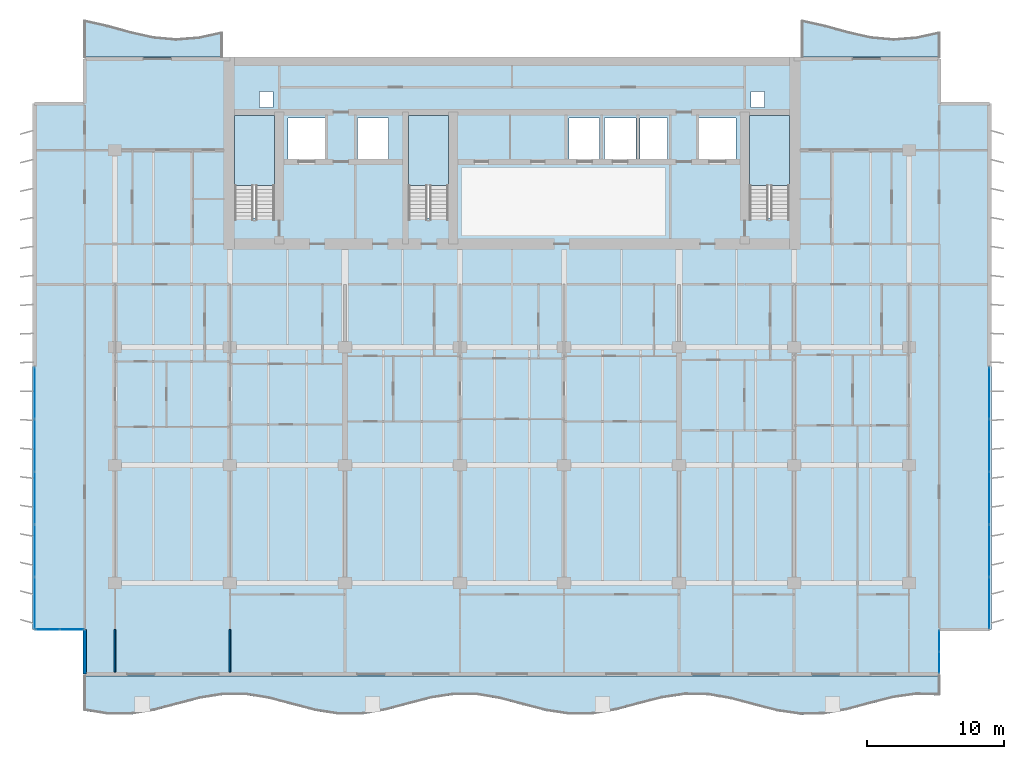
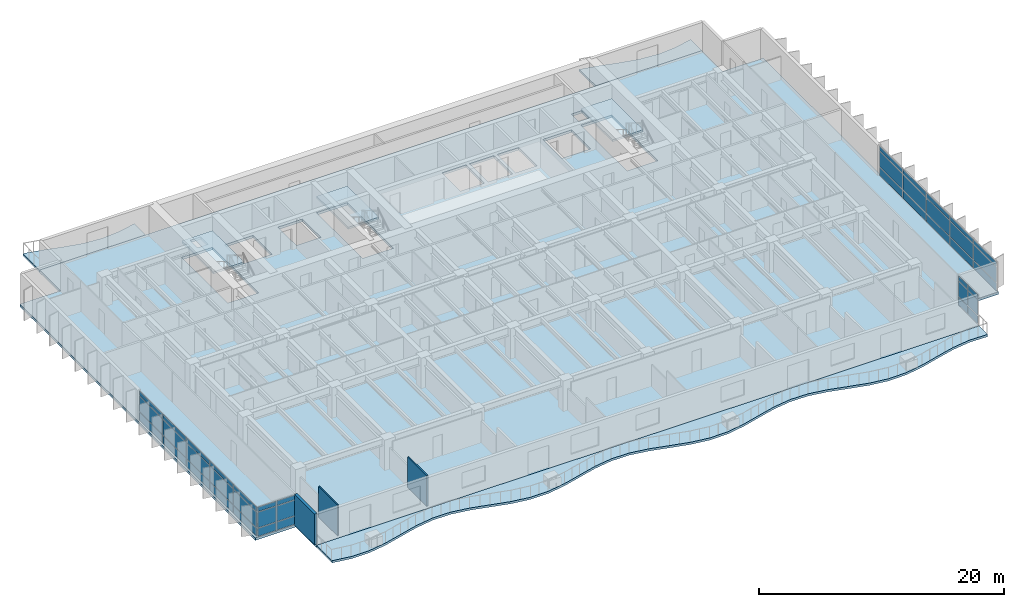
# One storey, part 5 of 15: 42 plates, 7 slabs, 3 walls, 7 elements without a shape of their own.
"""IFC4 building model written with IfcOpenShell, lengths in metres."""

from ifc_helpers import new_model, si_unit, direction, frame, frame_2d, origin, origin_2d, place, context, subcontext, project, spatial, polyline, rectangle, outline, extrude, material, layer, layer_set, type_object, element, aggregate, save


model = new_model("IFC4")

# Units and contexts
model_context = context("Model", 3, precision=1e-05, world=origin(), true_north=direction((0.0, 1.0)))
body_context = subcontext(model_context, "Body", "Model", "MODEL_VIEW")
ifc_project = project(units=[si_unit("LENGTHUNIT", "METRE"), si_unit("AREAUNIT", "SQUARE_METRE"), si_unit("VOLUMEUNIT", "CUBIC_METRE"), si_unit("PLANEANGLEUNIT", "RADIAN"), si_unit("MASSUNIT", "GRAM", prefix="KILO")], contexts=[model_context])

# Site, building, storey
site_placement = place(None, origin())
site = spatial("IfcSite", under=ifc_project, at=site_placement, CompositionType="ELEMENT")
building_placement = place(site_placement, origin())
building = spatial("IfcBuilding", under=site, at=building_placement, Name="Caelmar Bay Residences", CompositionType="ELEMENT")
storey_placement = place(building_placement, frame((0.0, 0.0, 132.300048828125)))
storey = spatial("IfcBuildingStorey", under=building, at=storey_placement, Name="L36", CompositionType="ELEMENT", Elevation=132.300048828125)

# Curtain wall, plates
ifc_material_1 = material(Name="Anodised bronze aluminium 6063-T6 and laminated glass", Category="aluminium")
ifc_layer_1 = layer(ifc_material_1, 0.179931640625)
ifc_layer_set_1 = layer_set([ifc_layer_1], Name="Anodised bronze aluminium 6063-T6 and laminated glass")
curtain_wall_type_1 = type_object("IfcCurtainWallType", Name="CW6-NTC", PredefinedType="NOTDEFINED", material=ifc_layer_set_1)
curtain_wall_1_placement = place(storey_placement, origin())
curtain_wall_1 = element("IfcCurtainWall", 1, at=curtain_wall_1_placement, inside=storey, type_object=curtain_wall_type_1, Name="CW6 curtain wall L36", PredefinedType="NOTDEFINED")
ifc_material_2 = material(Name="Bronze-tinted laminated low-E hurricane glass 28 mm", Category="glass")
ifc_layer_2 = layer(ifc_material_2, 0.028076171875)
ifc_layer_set_2 = layer_set([ifc_layer_2], Name="Bronze-tinted laminated low-E hurricane glass 28 mm")
plate_type = type_object("IfcPlateType", Name="CWP-GLZ28", PredefinedType="CURTAIN_PANEL", material=ifc_layer_set_2)
plate_1_placement = place(storey_placement, frame((4.982421875, 8.800048828125, 0.080078125), z_axis=(0.0, 0.0, 1.0), x_axis=(1.0, 0.0, 0.0)))
plate_1 = element("IfcPlate", 2, at=plate_1_placement, type_object=plate_type, Name="CW6 panel 1.1", PredefinedType="CURTAIN_PANEL", context=body_context, shape_type="SweptSolid", body=[
    extrude(rectangle(XDim=1.705078125, YDim=0.028076171875, at=origin_2d()), origin(), (0.0, 0.0, 1.0), 0.780029296875),
])
plate_2_placement = place(storey_placement, frame((4.982421875, 8.800048828125, 0.93994140625), z_axis=(0.0, 0.0, 1.0), x_axis=(1.0, 0.0, 0.0)))
plate_2 = element("IfcPlate", 3, at=plate_2_placement, type_object=plate_type, Name="CW6 panel 1.2", PredefinedType="CURTAIN_PANEL", context=body_context, shape_type="SweptSolid", body=[
    extrude(rectangle(XDim=1.705078125, YDim=0.028076171875, at=origin_2d()), origin(), (0.0, 0.0, 1.0), 1.52001953125),
])
plate_3_placement = place(storey_placement, frame((4.982421875, 8.800048828125, 2.5400390625), z_axis=(0.0, 0.0, 1.0), x_axis=(1.0, 0.0, 0.0)))
plate_3 = element("IfcPlate", 4, at=plate_3_placement, type_object=plate_type, Name="CW6 panel 1.3", PredefinedType="CURTAIN_PANEL", context=body_context, shape_type="SweptSolid", body=[
    extrude(rectangle(XDim=1.705078125, YDim=0.028076171875, at=origin_2d()), origin(), (0.0, 0.0, 1.0), 0.429931640625),
])
plate_4_placement = place(storey_placement, frame((6.767578125, 8.800048828125, 0.080078125), z_axis=(0.0, 0.0, 1.0), x_axis=(1.0, 0.0, 0.0)))
plate_4 = element("IfcPlate", 5, at=plate_4_placement, type_object=plate_type, Name="CW6 panel 2.1", PredefinedType="CURTAIN_PANEL", context=body_context, shape_type="SweptSolid", body=[
    extrude(rectangle(XDim=1.705078125, YDim=0.028076171875, at=origin_2d()), origin(), (0.0, 0.0, 1.0), 0.780029296875),
])
plate_5_placement = place(storey_placement, frame((6.767578125, 8.800048828125, 0.93994140625), z_axis=(0.0, 0.0, 1.0), x_axis=(1.0, 0.0, 0.0)))
plate_5 = element("IfcPlate", 6, at=plate_5_placement, type_object=plate_type, Name="CW6 panel 2.2", PredefinedType="CURTAIN_PANEL", context=body_context, shape_type="SweptSolid", body=[
    extrude(rectangle(XDim=1.705078125, YDim=0.028076171875, at=origin_2d()), origin(), (0.0, 0.0, 1.0), 1.52001953125),
])
plate_6_placement = place(storey_placement, frame((6.767578125, 8.800048828125, 2.5400390625), z_axis=(0.0, 0.0, 1.0), x_axis=(1.0, 0.0, 0.0)))
plate_6 = element("IfcPlate", 7, at=plate_6_placement, type_object=plate_type, Name="CW6 panel 2.3", PredefinedType="CURTAIN_PANEL", context=body_context, shape_type="SweptSolid", body=[
    extrude(rectangle(XDim=1.705078125, YDim=0.028076171875, at=origin_2d()), origin(), (0.0, 0.0, 1.0), 0.429931640625),
])
aggregate(curtain_wall_1, [plate_1, plate_2, plate_3, plate_4, plate_5, plate_6])

curtain_wall_2_placement = place(storey_placement, origin())
curtain_wall_2 = element("IfcCurtainWall", 8, at=curtain_wall_2_placement, inside=storey, type_object=curtain_wall_type_1, Name="CW6 curtain wall L36", PredefinedType="NOTDEFINED")
plate_7_placement = place(storey_placement, frame((70.10009765625, 6.382568359375, 0.080078125), z_axis=(0.0, 0.0, 1.0), x_axis=(0.0, 1.0, 0.0)))
plate_7 = element("IfcPlate", 9, at=plate_7_placement, type_object=plate_type, Name="CW6 panel 1.1", PredefinedType="CURTAIN_PANEL", context=body_context, shape_type="SweptSolid", body=[
    extrude(rectangle(XDim=1.5048828125, YDim=0.028076171875, at=origin_2d()), origin(), (0.0, 0.0, 1.0), 0.780029296875),
])
plate_8_placement = place(storey_placement, frame((70.10009765625, 6.382568359375, 0.93994140625), z_axis=(0.0, 0.0, 1.0), x_axis=(0.0, 1.0, 0.0)))
plate_8 = element("IfcPlate", 10, at=plate_8_placement, type_object=plate_type, Name="CW6 panel 1.2", PredefinedType="CURTAIN_PANEL", context=body_context, shape_type="SweptSolid", body=[
    extrude(rectangle(XDim=1.5048828125, YDim=0.028076171875, at=origin_2d()), origin(), (0.0, 0.0, 1.0), 1.52001953125),
])
plate_9_placement = place(storey_placement, frame((70.10009765625, 6.382568359375, 2.5400390625), z_axis=(0.0, 0.0, 1.0), x_axis=(0.0, 1.0, 0.0)))
plate_9 = element("IfcPlate", 11, at=plate_9_placement, type_object=plate_type, Name="CW6 panel 1.3", PredefinedType="CURTAIN_PANEL", context=body_context, shape_type="SweptSolid", body=[
    extrude(rectangle(XDim=1.5048828125, YDim=0.028076171875, at=origin_2d()), origin(), (0.0, 0.0, 1.0), 0.429931640625),
])
plate_10_placement = place(storey_placement, frame((70.10009765625, 7.967529296875, 0.080078125), z_axis=(0.0, 0.0, 1.0), x_axis=(0.0, 1.0, 0.0)))
plate_10 = element("IfcPlate", 12, at=plate_10_placement, type_object=plate_type, Name="CW6 panel 2.1", PredefinedType="CURTAIN_PANEL", context=body_context, shape_type="SweptSolid", body=[
    extrude(rectangle(XDim=1.5048828125, YDim=0.028076171875, at=origin_2d()), origin(), (0.0, 0.0, 1.0), 0.780029296875),
])
plate_11_placement = place(storey_placement, frame((70.10009765625, 7.967529296875, 0.93994140625), z_axis=(0.0, 0.0, 1.0), x_axis=(0.0, 1.0, 0.0)))
plate_11 = element("IfcPlate", 13, at=plate_11_placement, type_object=plate_type, Name="CW6 panel 2.2", PredefinedType="CURTAIN_PANEL", context=body_context, shape_type="SweptSolid", body=[
    extrude(rectangle(XDim=1.5048828125, YDim=0.028076171875, at=origin_2d()), origin(), (0.0, 0.0, 1.0), 1.52001953125),
])
plate_12_placement = place(storey_placement, frame((70.10009765625, 7.967529296875, 2.5400390625), z_axis=(0.0, 0.0, 1.0), x_axis=(0.0, 1.0, 0.0)))
plate_12 = element("IfcPlate", 14, at=plate_12_placement, type_object=plate_type, Name="CW6 panel 2.3", PredefinedType="CURTAIN_PANEL", context=body_context, shape_type="SweptSolid", body=[
    extrude(rectangle(XDim=1.5048828125, YDim=0.028076171875, at=origin_2d()), origin(), (0.0, 0.0, 1.0), 0.429931640625),
])
aggregate(curtain_wall_2, [plate_7, plate_8, plate_9, plate_10, plate_11, plate_12])

ifc_layer_3 = layer(ifc_material_1, 0.179931640625)
ifc_layer_set_3 = layer_set([ifc_layer_3], Name="Anodised bronze aluminium 6063-T6 and laminated glass")
curtain_wall_type_2 = type_object("IfcCurtainWallType", Name="CW3-Z2", PredefinedType="NOTDEFINED", material=ifc_layer_set_3)
curtain_wall_3_placement = place(storey_placement, origin())
curtain_wall_3 = element("IfcCurtainWall", 15, at=curtain_wall_3_placement, inside=storey, type_object=curtain_wall_type_2, Name="CW3 curtain wall L36", PredefinedType="NOTDEFINED")
plate_13_placement = place(storey_placement, frame((4.050048828125, 10.739990234375, 0.080078125), z_axis=(0.0, 0.0, 1.0), x_axis=(0.0, 1.0, 0.0)))
plate_13 = element("IfcPlate", 16, at=plate_13_placement, type_object=plate_type, Name="CW3 panel 1.1", PredefinedType="CURTAIN_PANEL", context=body_context, shape_type="SweptSolid", body=[
    extrude(rectangle(XDim=3.719970703125, YDim=0.028076171875, at=origin_2d()), origin(), (0.0, 0.0, 1.0), 0.780029296875),
])
plate_14_placement = place(storey_placement, frame((4.050048828125, 10.739990234375, 0.93994140625), z_axis=(0.0, 0.0, 1.0), x_axis=(0.0, 1.0, 0.0)))
plate_14 = element("IfcPlate", 17, at=plate_14_placement, type_object=plate_type, Name="CW3 panel 1.2", PredefinedType="CURTAIN_PANEL", context=body_context, shape_type="SweptSolid", body=[
    extrude(rectangle(XDim=3.719970703125, YDim=0.028076171875, at=origin_2d()), origin(), (0.0, 0.0, 1.0), 1.52001953125),
])
plate_15_placement = place(storey_placement, frame((4.050048828125, 10.739990234375, 2.5400390625), z_axis=(0.0, 0.0, 1.0), x_axis=(0.0, 1.0, 0.0)))
plate_15 = element("IfcPlate", 18, at=plate_15_placement, type_object=plate_type, Name="CW3 panel 1.3", PredefinedType="CURTAIN_PANEL", context=body_context, shape_type="SweptSolid", body=[
    extrude(rectangle(XDim=3.719970703125, YDim=0.028076171875, at=origin_2d()), origin(), (0.0, 0.0, 1.0), 0.429931640625),
])
plate_16_placement = place(storey_placement, frame((4.050048828125, 14.56005859375, 0.080078125), z_axis=(0.0, 0.0, 1.0), x_axis=(0.0, 1.0, 0.0)))
plate_16 = element("IfcPlate", 19, at=plate_16_placement, type_object=plate_type, Name="CW3 panel 2.1", PredefinedType="CURTAIN_PANEL", context=body_context, shape_type="SweptSolid", body=[
    extrude(rectangle(XDim=3.760009765625, YDim=0.028076171875, at=origin_2d()), origin(), (0.0, 0.0, 1.0), 0.780029296875),
])
plate_17_placement = place(storey_placement, frame((4.050048828125, 14.56005859375, 0.93994140625), z_axis=(0.0, 0.0, 1.0), x_axis=(0.0, 1.0, 0.0)))
plate_17 = element("IfcPlate", 20, at=plate_17_placement, type_object=plate_type, Name="CW3 panel 2.2", PredefinedType="CURTAIN_PANEL", context=body_context, shape_type="SweptSolid", body=[
    extrude(rectangle(XDim=3.760009765625, YDim=0.028076171875, at=origin_2d()), origin(), (0.0, 0.0, 1.0), 1.52001953125),
])
plate_18_placement = place(storey_placement, frame((4.050048828125, 14.56005859375, 2.5400390625), z_axis=(0.0, 0.0, 1.0), x_axis=(0.0, 1.0, 0.0)))
plate_18 = element("IfcPlate", 21, at=plate_18_placement, type_object=plate_type, Name="CW3 panel 2.3", PredefinedType="CURTAIN_PANEL", context=body_context, shape_type="SweptSolid", body=[
    extrude(rectangle(XDim=3.760009765625, YDim=0.028076171875, at=origin_2d()), origin(), (0.0, 0.0, 1.0), 0.429931640625),
])
plate_19_placement = place(storey_placement, frame((4.050048828125, 18.39990234375, 0.080078125), z_axis=(0.0, 0.0, 1.0), x_axis=(0.0, 1.0, 0.0)))
plate_19 = element("IfcPlate", 22, at=plate_19_placement, type_object=plate_type, Name="CW3 panel 3.1", PredefinedType="CURTAIN_PANEL", context=body_context, shape_type="SweptSolid", body=[
    extrude(rectangle(XDim=3.760009765625, YDim=0.028076171875, at=origin_2d()), origin(), (0.0, 0.0, 1.0), 0.780029296875),
])
plate_20_placement = place(storey_placement, frame((4.050048828125, 18.39990234375, 0.93994140625), z_axis=(0.0, 0.0, 1.0), x_axis=(0.0, 1.0, 0.0)))
plate_20 = element("IfcPlate", 23, at=plate_20_placement, type_object=plate_type, Name="CW3 panel 3.2", PredefinedType="CURTAIN_PANEL", context=body_context, shape_type="SweptSolid", body=[
    extrude(rectangle(XDim=3.760009765625, YDim=0.028076171875, at=origin_2d()), origin(), (0.0, 0.0, 1.0), 1.52001953125),
])
plate_21_placement = place(storey_placement, frame((4.050048828125, 18.39990234375, 2.5400390625), z_axis=(0.0, 0.0, 1.0), x_axis=(0.0, 1.0, 0.0)))
plate_21 = element("IfcPlate", 24, at=plate_21_placement, type_object=plate_type, Name="CW3 panel 3.3", PredefinedType="CURTAIN_PANEL", context=body_context, shape_type="SweptSolid", body=[
    extrude(rectangle(XDim=3.760009765625, YDim=0.028076171875, at=origin_2d()), origin(), (0.0, 0.0, 1.0), 0.429931640625),
])
plate_22_placement = place(storey_placement, frame((4.050048828125, 22.239990234375, 0.080078125), z_axis=(0.0, 0.0, 1.0), x_axis=(0.0, 1.0, 0.0)))
plate_22 = element("IfcPlate", 25, at=plate_22_placement, type_object=plate_type, Name="CW3 panel 4.1", PredefinedType="CURTAIN_PANEL", context=body_context, shape_type="SweptSolid", body=[
    extrude(rectangle(XDim=3.760009765625, YDim=0.028076171875, at=origin_2d()), origin(), (0.0, 0.0, 1.0), 0.780029296875),
])
plate_23_placement = place(storey_placement, frame((4.050048828125, 22.239990234375, 0.93994140625), z_axis=(0.0, 0.0, 1.0), x_axis=(0.0, 1.0, 0.0)))
plate_23 = element("IfcPlate", 26, at=plate_23_placement, type_object=plate_type, Name="CW3 panel 4.2", PredefinedType="CURTAIN_PANEL", context=body_context, shape_type="SweptSolid", body=[
    extrude(rectangle(XDim=3.760009765625, YDim=0.028076171875, at=origin_2d()), origin(), (0.0, 0.0, 1.0), 1.52001953125),
])
plate_24_placement = place(storey_placement, frame((4.050048828125, 22.239990234375, 2.5400390625), z_axis=(0.0, 0.0, 1.0), x_axis=(0.0, 1.0, 0.0)))
plate_24 = element("IfcPlate", 27, at=plate_24_placement, type_object=plate_type, Name="CW3 panel 4.3", PredefinedType="CURTAIN_PANEL", context=body_context, shape_type="SweptSolid", body=[
    extrude(rectangle(XDim=3.760009765625, YDim=0.028076171875, at=origin_2d()), origin(), (0.0, 0.0, 1.0), 0.429931640625),
])
plate_25_placement = place(storey_placement, frame((4.050048828125, 26.06005859375, 0.080078125), z_axis=(0.0, 0.0, 1.0), x_axis=(0.0, 1.0, 0.0)))
plate_25 = element("IfcPlate", 28, at=plate_25_placement, type_object=plate_type, Name="CW3 panel 5.1", PredefinedType="CURTAIN_PANEL", context=body_context, shape_type="SweptSolid", body=[
    extrude(rectangle(XDim=3.719970703125, YDim=0.028076171875, at=origin_2d()), origin(), (0.0, 0.0, 1.0), 0.780029296875),
])
plate_26_placement = place(storey_placement, frame((4.050048828125, 26.06005859375, 0.93994140625), z_axis=(0.0, 0.0, 1.0), x_axis=(0.0, 1.0, 0.0)))
plate_26 = element("IfcPlate", 29, at=plate_26_placement, type_object=plate_type, Name="CW3 panel 5.2", PredefinedType="CURTAIN_PANEL", context=body_context, shape_type="SweptSolid", body=[
    extrude(rectangle(XDim=3.719970703125, YDim=0.028076171875, at=origin_2d()), origin(), (0.0, 0.0, 1.0), 1.52001953125),
])
plate_27_placement = place(storey_placement, frame((4.050048828125, 26.06005859375, 2.5400390625), z_axis=(0.0, 0.0, 1.0), x_axis=(0.0, 1.0, 0.0)))
plate_27 = element("IfcPlate", 30, at=plate_27_placement, type_object=plate_type, Name="CW3 panel 5.3", PredefinedType="CURTAIN_PANEL", context=body_context, shape_type="SweptSolid", body=[
    extrude(rectangle(XDim=3.719970703125, YDim=0.028076171875, at=origin_2d()), origin(), (0.0, 0.0, 1.0), 0.429931640625),
])
aggregate(curtain_wall_3, [plate_13, plate_14, plate_15, plate_16, plate_17, plate_18, plate_19, plate_20, plate_21, plate_22, plate_23, plate_24, plate_25, plate_26, plate_27])

curtain_wall_4_placement = place(storey_placement, origin())
curtain_wall_4 = element("IfcCurtainWall", 31, at=curtain_wall_4_placement, inside=storey, type_object=curtain_wall_type_2, Name="CW3 curtain wall L36", PredefinedType="NOTDEFINED")
plate_28_placement = place(storey_placement, frame((73.75, 26.06005859375, 0.080078125), z_axis=(0.0, 0.0, 1.0), x_axis=(0.0, -1.0, 0.0)))
plate_28 = element("IfcPlate", 32, at=plate_28_placement, type_object=plate_type, Name="CW3 panel 1.1", PredefinedType="CURTAIN_PANEL", context=body_context, shape_type="SweptSolid", body=[
    extrude(rectangle(XDim=3.719970703125, YDim=0.028076171875, at=origin_2d()), origin(), (0.0, 0.0, 1.0), 0.780029296875),
])
plate_29_placement = place(storey_placement, frame((73.75, 26.06005859375, 0.93994140625), z_axis=(0.0, 0.0, 1.0), x_axis=(0.0, -1.0, 0.0)))
plate_29 = element("IfcPlate", 33, at=plate_29_placement, type_object=plate_type, Name="CW3 panel 1.2", PredefinedType="CURTAIN_PANEL", context=body_context, shape_type="SweptSolid", body=[
    extrude(rectangle(XDim=3.719970703125, YDim=0.028076171875, at=origin_2d()), origin(), (0.0, 0.0, 1.0), 1.52001953125),
])
plate_30_placement = place(storey_placement, frame((73.75, 26.06005859375, 2.5400390625), z_axis=(0.0, 0.0, 1.0), x_axis=(0.0, -1.0, 0.0)))
plate_30 = element("IfcPlate", 34, at=plate_30_placement, type_object=plate_type, Name="CW3 panel 1.3", PredefinedType="CURTAIN_PANEL", context=body_context, shape_type="SweptSolid", body=[
    extrude(rectangle(XDim=3.719970703125, YDim=0.028076171875, at=origin_2d()), origin(), (0.0, 0.0, 1.0), 0.429931640625),
])
plate_31_placement = place(storey_placement, frame((73.75, 22.239990234375, 0.080078125), z_axis=(0.0, 0.0, 1.0), x_axis=(0.0, -1.0, 0.0)))
plate_31 = element("IfcPlate", 35, at=plate_31_placement, type_object=plate_type, Name="CW3 panel 2.1", PredefinedType="CURTAIN_PANEL", context=body_context, shape_type="SweptSolid", body=[
    extrude(rectangle(XDim=3.760009765625, YDim=0.028076171875, at=origin_2d()), origin(), (0.0, 0.0, 1.0), 0.780029296875),
])
plate_32_placement = place(storey_placement, frame((73.75, 22.239990234375, 0.93994140625), z_axis=(0.0, 0.0, 1.0), x_axis=(0.0, -1.0, 0.0)))
plate_32 = element("IfcPlate", 36, at=plate_32_placement, type_object=plate_type, Name="CW3 panel 2.2", PredefinedType="CURTAIN_PANEL", context=body_context, shape_type="SweptSolid", body=[
    extrude(rectangle(XDim=3.760009765625, YDim=0.028076171875, at=origin_2d()), origin(), (0.0, 0.0, 1.0), 1.52001953125),
])
plate_33_placement = place(storey_placement, frame((73.75, 22.239990234375, 2.5400390625), z_axis=(0.0, 0.0, 1.0), x_axis=(0.0, -1.0, 0.0)))
plate_33 = element("IfcPlate", 37, at=plate_33_placement, type_object=plate_type, Name="CW3 panel 2.3", PredefinedType="CURTAIN_PANEL", context=body_context, shape_type="SweptSolid", body=[
    extrude(rectangle(XDim=3.760009765625, YDim=0.028076171875, at=origin_2d()), origin(), (0.0, 0.0, 1.0), 0.429931640625),
])
plate_34_placement = place(storey_placement, frame((73.75, 18.39990234375, 0.080078125), z_axis=(0.0, 0.0, 1.0), x_axis=(0.0, -1.0, 0.0)))
plate_34 = element("IfcPlate", 38, at=plate_34_placement, type_object=plate_type, Name="CW3 panel 3.1", PredefinedType="CURTAIN_PANEL", context=body_context, shape_type="SweptSolid", body=[
    extrude(rectangle(XDim=3.760009765625, YDim=0.028076171875, at=origin_2d()), origin(), (0.0, 0.0, 1.0), 0.780029296875),
])
plate_35_placement = place(storey_placement, frame((73.75, 18.39990234375, 0.93994140625), z_axis=(0.0, 0.0, 1.0), x_axis=(0.0, -1.0, 0.0)))
plate_35 = element("IfcPlate", 39, at=plate_35_placement, type_object=plate_type, Name="CW3 panel 3.2", PredefinedType="CURTAIN_PANEL", context=body_context, shape_type="SweptSolid", body=[
    extrude(rectangle(XDim=3.760009765625, YDim=0.028076171875, at=origin_2d()), origin(), (0.0, 0.0, 1.0), 1.52001953125),
])
plate_36_placement = place(storey_placement, frame((73.75, 18.39990234375, 2.5400390625), z_axis=(0.0, 0.0, 1.0), x_axis=(0.0, -1.0, 0.0)))
plate_36 = element("IfcPlate", 40, at=plate_36_placement, type_object=plate_type, Name="CW3 panel 3.3", PredefinedType="CURTAIN_PANEL", context=body_context, shape_type="SweptSolid", body=[
    extrude(rectangle(XDim=3.760009765625, YDim=0.028076171875, at=origin_2d()), origin(), (0.0, 0.0, 1.0), 0.429931640625),
])
plate_37_placement = place(storey_placement, frame((73.75, 14.56005859375, 0.080078125), z_axis=(0.0, 0.0, 1.0), x_axis=(0.0, -1.0, 0.0)))
plate_37 = element("IfcPlate", 41, at=plate_37_placement, type_object=plate_type, Name="CW3 panel 4.1", PredefinedType="CURTAIN_PANEL", context=body_context, shape_type="SweptSolid", body=[
    extrude(rectangle(XDim=3.760009765625, YDim=0.028076171875, at=origin_2d()), origin(), (0.0, 0.0, 1.0), 0.780029296875),
])
plate_38_placement = place(storey_placement, frame((73.75, 14.56005859375, 0.93994140625), z_axis=(0.0, 0.0, 1.0), x_axis=(0.0, -1.0, 0.0)))
plate_38 = element("IfcPlate", 42, at=plate_38_placement, type_object=plate_type, Name="CW3 panel 4.2", PredefinedType="CURTAIN_PANEL", context=body_context, shape_type="SweptSolid", body=[
    extrude(rectangle(XDim=3.760009765625, YDim=0.028076171875, at=origin_2d()), origin(), (0.0, 0.0, 1.0), 1.52001953125),
])
plate_39_placement = place(storey_placement, frame((73.75, 14.56005859375, 2.5400390625), z_axis=(0.0, 0.0, 1.0), x_axis=(0.0, -1.0, 0.0)))
plate_39 = element("IfcPlate", 43, at=plate_39_placement, type_object=plate_type, Name="CW3 panel 4.3", PredefinedType="CURTAIN_PANEL", context=body_context, shape_type="SweptSolid", body=[
    extrude(rectangle(XDim=3.760009765625, YDim=0.028076171875, at=origin_2d()), origin(), (0.0, 0.0, 1.0), 0.429931640625),
])
plate_40_placement = place(storey_placement, frame((73.75, 10.739990234375, 0.080078125), z_axis=(0.0, 0.0, 1.0), x_axis=(0.0, -1.0, 0.0)))
plate_40 = element("IfcPlate", 44, at=plate_40_placement, type_object=plate_type, Name="CW3 panel 5.1", PredefinedType="CURTAIN_PANEL", context=body_context, shape_type="SweptSolid", body=[
    extrude(rectangle(XDim=3.719970703125, YDim=0.028076171875, at=origin_2d()), origin(), (0.0, 0.0, 1.0), 0.780029296875),
])
plate_41_placement = place(storey_placement, frame((73.75, 10.739990234375, 0.93994140625), z_axis=(0.0, 0.0, 1.0), x_axis=(0.0, -1.0, 0.0)))
plate_41 = element("IfcPlate", 45, at=plate_41_placement, type_object=plate_type, Name="CW3 panel 5.2", PredefinedType="CURTAIN_PANEL", context=body_context, shape_type="SweptSolid", body=[
    extrude(rectangle(XDim=3.719970703125, YDim=0.028076171875, at=origin_2d()), origin(), (0.0, 0.0, 1.0), 1.52001953125),
])
plate_42_placement = place(storey_placement, frame((73.75, 10.739990234375, 2.5400390625), z_axis=(0.0, 0.0, 1.0), x_axis=(0.0, -1.0, 0.0)))
plate_42 = element("IfcPlate", 46, at=plate_42_placement, type_object=plate_type, Name="CW3 panel 5.3", PredefinedType="CURTAIN_PANEL", context=body_context, shape_type="SweptSolid", body=[
    extrude(rectangle(XDim=3.719970703125, YDim=0.028076171875, at=origin_2d()), origin(), (0.0, 0.0, 1.0), 0.429931640625),
])
aggregate(curtain_wall_4, [plate_28, plate_29, plate_30, plate_31, plate_32, plate_33, plate_34, plate_35, plate_36, plate_37, plate_38, plate_39, plate_40, plate_41, plate_42])

# Slabs
ifc_material_3 = material(Name="Concrete f'c 40 MPa (6,000 psi)", Category="concrete")
ifc_layer_4 = layer(ifc_material_3, 0.219970703125)
ifc_layer_set_4 = layer_set([ifc_layer_4], Name="Concrete f'c 40 MPa (6,000 psi)")
slab_type_1 = type_object("IfcSlabType", Name="SLB-BAL-220", PredefinedType="FLOOR", material=ifc_layer_set_4)
slab_1_placement = place(storey_placement, frame((0.0, 0.0, -0.219970703125)))
element("IfcSlab", 47, at=slab_1_placement, inside=storey, type_object=slab_type_1, Name="L36 Sinusoidal Tree-Balcony Slab south", PredefinedType="FLOOR", context=body_context, shape_type="SweptSolid", body=[
    extrude(outline(polyline([(7.699951171875, 2.859130859375), (9.386474609375, 2.586181640625), (11.072998046875, 2.587890625), (12.759521484375, 2.863525390625), (14.44580078125, 3.307373046875), (16.13232421875, 3.748291015625), (17.81884765625, 4.0166015625), (19.50537109375, 4.00927734375), (21.19189453125, 3.72900390625), (22.87841796875, 3.28369140625), (24.56494140625, 2.844482421875), (26.25146484375, 2.580810546875), (27.937744140625, 2.59375), (29.624267578125, 2.87841796875), (31.310791015625, 3.325439453125), (32.997314453125, 3.7626953125), (34.683837890625, 4.021728515625), (36.370361328125, 4.003173828125), (38.056884765625, 3.7138671875), (39.7431640625, 3.265380859375), (41.4296875, 2.830322265625), (43.1162109375, 2.57568359375), (44.802734375, 2.60009765625), (46.4892578125, 2.893798828125), (48.17578125, 3.343505859375), (49.8623046875, 3.77685546875), (51.548583984375, 4.026611328125), (53.235107421875, 3.99658203125), (54.921630859375, 3.698486328125), (56.608154296875, 3.247314453125), (58.294677734375, 2.816162109375), (59.981201171875, 2.5712890625), (61.66748046875, 2.606689453125), (63.35400390625, 2.9091796875), (65.04052734375, 3.36181640625), (66.72705078125, 3.790771484375), (68.41357421875, 4.03076171875), (70.10009765625, 3.989501953125), (70.10009765625, 5.39990234375), (7.699951171875, 5.39990234375), (7.699951171875, 2.859130859375)])), origin(), (0.0, 0.0, 1.0), 0.219970703125),
])
slab_2_placement = place(storey_placement, frame((0.0, 0.0, -0.219970703125)))
element("IfcSlab", 48, at=slab_2_placement, inside=storey, type_object=slab_type_1, Name="L36 Sinusoidal Tree-Balcony Slab north_west", PredefinedType="FLOOR", context=body_context, shape_type="SweptSolid", body=[
    extrude(outline(polyline([(7.699951171875, 50.60009765625), (17.699951171875, 50.60009765625), (17.699951171875, 52.447021484375), (16.033203125, 52.08251953125), (14.36669921875, 51.9501953125), (12.699951171875, 52.099853515625), (11.033203125, 52.475341796875), (9.36669921875, 52.935302734375), (7.699951171875, 53.306884765625), (7.699951171875, 50.60009765625)])), origin(), (0.0, 0.0, 1.0), 0.219970703125),
])
slab_3_placement = place(storey_placement, frame((0.0, 0.0, -0.219970703125)))
element("IfcSlab", 49, at=slab_3_placement, inside=storey, type_object=slab_type_1, Name="L36 Sinusoidal Tree-Balcony Slab north_east", PredefinedType="FLOOR", context=body_context, shape_type="SweptSolid", body=[
    extrude(outline(polyline([(60.10009765625, 50.60009765625), (70.10009765625, 50.60009765625), (70.10009765625, 52.447021484375), (68.433349609375, 52.08251953125), (66.7666015625, 51.9501953125), (65.10009765625, 52.099853515625), (63.433349609375, 52.475341796875), (61.7666015625, 52.935302734375), (60.10009765625, 53.306884765625), (60.10009765625, 50.60009765625)])), origin(), (0.0, 0.0, 1.0), 0.219970703125),
])

# Stair, slab
stair_type = type_object("IfcStairType", Name="ST-TYP-165", PredefinedType="HALF_TURN_STAIR", material=ifc_material_3)
stair_1_placement = place(storey_placement, origin())
stair_1 = element("IfcStair", 50, at=stair_1_placement, inside=storey, type_object=stair_type, Name="L36 West Smokeproof Exit Stair ST1", PredefinedType="HALF_TURN_STAIR")
ifc_layer_5 = layer(ifc_material_3, 0.199951171875)
ifc_layer_set_5 = layer_set([ifc_layer_5], Name="Concrete f'c 40 MPa (6,000 psi)")
slab_type_2 = type_object("IfcSlabType", Name="SLB-LND-200", PredefinedType="LANDING", material=ifc_layer_set_5)
slab_4_placement = place(storey_placement, frame((0.0, 0.0, 1.449951171875)))
slab_4 = element("IfcSlab", 51, at=slab_4_placement, type_object=slab_type_2, Name="ST1 landing 1", PredefinedType="LANDING", context=body_context, shape_type="SweptSolid", body=[
    extrude(outline(polyline([(21.550048828125, 41.219970703125), (21.550048828125, 46.35009765625), (18.64990234375, 46.35009765625), (18.64990234375, 41.219970703125), (21.550048828125, 41.219970703125)])), origin(), (0.0, 0.0, 1.0), 0.199951171875),
])
aggregate(stair_1, [slab_4])

stair_2_placement = place(storey_placement, origin())
stair_2 = element("IfcStair", 52, at=stair_2_placement, inside=storey, type_object=stair_type, Name="L36 East Smokeproof Exit Stair ST2", PredefinedType="HALF_TURN_STAIR")
slab_5_placement = place(storey_placement, frame((0.0, 0.0, 1.449951171875)))
slab_5 = element("IfcSlab", 53, at=slab_5_placement, type_object=slab_type_2, Name="ST2 landing 1", PredefinedType="LANDING", context=body_context, shape_type="SweptSolid", body=[
    extrude(outline(polyline([(59.14990234375, 41.219970703125), (59.14990234375, 46.35009765625), (56.25, 46.35009765625), (56.25, 41.219970703125), (59.14990234375, 41.219970703125)])), origin(), (0.0, 0.0, 1.0), 0.199951171875),
])
aggregate(stair_2, [slab_5])

stair_3_placement = place(storey_placement, origin())
stair_3 = element("IfcStair", 54, at=stair_3_placement, inside=storey, type_object=stair_type, Name="L36 Central Smokeproof Exit Stair ST3", PredefinedType="HALF_TURN_STAIR")
slab_6_placement = place(storey_placement, frame((0.0, 0.0, 1.449951171875)))
slab_6 = element("IfcSlab", 55, at=slab_6_placement, type_object=slab_type_2, Name="ST3 landing 1", PredefinedType="LANDING", context=body_context, shape_type="SweptSolid", body=[
    extrude(outline(polyline([(34.25, 41.219970703125), (34.25, 46.35009765625), (31.35009765625, 46.35009765625), (31.35009765625, 41.219970703125), (34.25, 41.219970703125)])), origin(), (0.0, 0.0, 1.0), 0.199951171875),
])
aggregate(stair_3, [slab_6])

# Slab
ifc_layer_6 = layer(ifc_material_3, 0.25)
ifc_layer_set_6 = layer_set([ifc_layer_6], Name="Concrete f'c 40 MPa (6,000 psi)")
slab_type_3 = type_object("IfcSlabType", Name="SLB-RES-250", PredefinedType="FLOOR", material=ifc_layer_set_6)
slab_7_placement = place(storey_placement, frame((0.0, 0.0, -0.25)))
element("IfcSlab", 56, at=slab_7_placement, inside=storey, type_object=slab_type_3, Name="L36 Structural Floor Slab", PredefinedType="FLOOR", context=body_context, shape_type="SweptSolid", body=[
    extrude(outline(polyline([(7.699951171875, 5.39990234375), (70.10009765625, 5.39990234375), (70.10009765625, 8.800048828125), (73.89990234375, 8.800048828125), (73.89990234375, 47.199951171875), (70.10009765625, 47.199951171875), (70.10009765625, 50.60009765625), (7.699951171875, 50.60009765625), (7.699951171875, 47.199951171875), (3.89990234375, 47.199951171875), (3.89990234375, 8.800048828125), (7.699951171875, 8.800048828125), (7.699951171875, 5.39990234375)]), holes=[polyline([(18.64990234375, 38.85009765625), (21.550048828125, 38.85009765625), (21.550048828125, 46.35009765625), (18.64990234375, 46.35009765625), (18.64990234375, 38.85009765625)]), polyline([(56.25, 38.85009765625), (59.14990234375, 38.85009765625), (59.14990234375, 46.35009765625), (56.25, 46.35009765625), (56.25, 38.85009765625)]), polyline([(31.35009765625, 38.85009765625), (34.25, 38.85009765625), (34.25, 46.35009765625), (31.35009765625, 46.35009765625), (31.35009765625, 38.85009765625)]), polyline([(22.550048828125, 43.050048828125), (25.25, 43.050048828125), (25.25, 46.14990234375), (22.550048828125, 46.14990234375), (22.550048828125, 43.050048828125)]), polyline([(52.550048828125, 43.050048828125), (55.25, 43.050048828125), (55.25, 46.14990234375), (52.550048828125, 46.14990234375), (52.550048828125, 43.050048828125)]), polyline([(43.050048828125, 43.14990234375), (45.300048828125, 43.14990234375), (45.300048828125, 46.14990234375), (43.050048828125, 46.14990234375), (43.050048828125, 43.14990234375)]), polyline([(45.64990234375, 43.14990234375), (47.949951171875, 43.14990234375), (47.949951171875, 46.14990234375), (45.64990234375, 46.14990234375), (45.64990234375, 43.14990234375)]), polyline([(48.25, 43.14990234375), (50.25, 43.14990234375), (50.25, 46.14990234375), (48.25, 46.14990234375), (48.25, 43.14990234375)]), polyline([(27.60009765625, 43.14990234375), (29.89990234375, 43.14990234375), (29.89990234375, 46.14990234375), (27.60009765625, 46.14990234375), (27.60009765625, 43.14990234375)]), polyline([(20.449951171875, 46.89990234375), (21.449951171875, 46.89990234375), (21.449951171875, 48.10009765625), (20.449951171875, 48.10009765625), (20.449951171875, 46.89990234375)]), polyline([(56.35009765625, 46.89990234375), (57.35009765625, 46.89990234375), (57.35009765625, 48.10009765625), (56.35009765625, 48.10009765625), (56.35009765625, 46.89990234375)])]), origin(), (0.0, 0.0, 1.0), 0.25),
])

# Walls
ifc_material_4 = material(Name="Precast concrete f'c 40 MPa (6,000 psi)", Category="concrete")
ifc_layer_7 = layer(ifc_material_4, 0.25)
ifc_layer_set_7 = layer_set([ifc_layer_7], Name="Precast concrete f'c 40 MPa (6,000 psi)")
wall_type_1 = type_object("IfcWallType", Name="W-EXT-250", PredefinedType="ELEMENTEDWALL", material=ifc_layer_set_7)
wall_placement = place(storey_placement, frame((7.699951171875, 8.800048828125, 0.0), z_axis=(0.0, 0.0, 1.0), x_axis=(0.0, -1.0, 0.0)))
element("IfcWall", 57, at=wall_placement, inside=storey, type_object=wall_type_1, Name="L36 SW Notch Return Wall", PredefinedType="ELEMENTEDWALL", context=body_context, shape_type="SweptSolid", body=[
    extrude(rectangle(XDim=3.25, YDim=0.25, at=frame_2d((1.625, 0.0))), origin(), (0.0, 0.0, 1.0), 3.050048828125),
])
ifc_material_5 = material(Name="Acoustic metal-stud gypsum partition 120 mm")
ifc_layer_8 = layer(ifc_material_5, 0.1201171875)
ifc_layer_set_8 = layer_set([ifc_layer_8], Name="Acoustic metal-stud gypsum partition 120 mm")
wall_type_2 = type_object("IfcWallType", Name="W-PRT-120", PredefinedType="PARTITIONING", material=ifc_layer_set_8)
for number, where, z_axis, x_axis, name in (
    (58, (9.89990234375, 5.695068359375, 0.0), (0.0, 0.0, 1.0), (0.0, 1.0, 0.0), "L36 Partition Wall V006"),
    (59, (18.300048828125, 5.695068359375, 0.0), (0.0, 0.0, 1.0), (0.0, 1.0, 0.0), "L36 Partition Wall V014"),
):
    element("IfcWall", number, at=place(storey_placement, frame(where, z_axis=z_axis, x_axis=x_axis)), inside=storey, type_object=wall_type_2, Name=name, PredefinedType="PARTITIONING", context=body_context, shape_type="SweptSolid", body=[
        extrude(rectangle(XDim=3.10498046875, YDim=0.1201171875, at=frame_2d((1.552490234375, 0.0))), origin(), (0.0, 0.0, 1.0), 3.050048828125),
    ])

save(model, "model.ifc")
